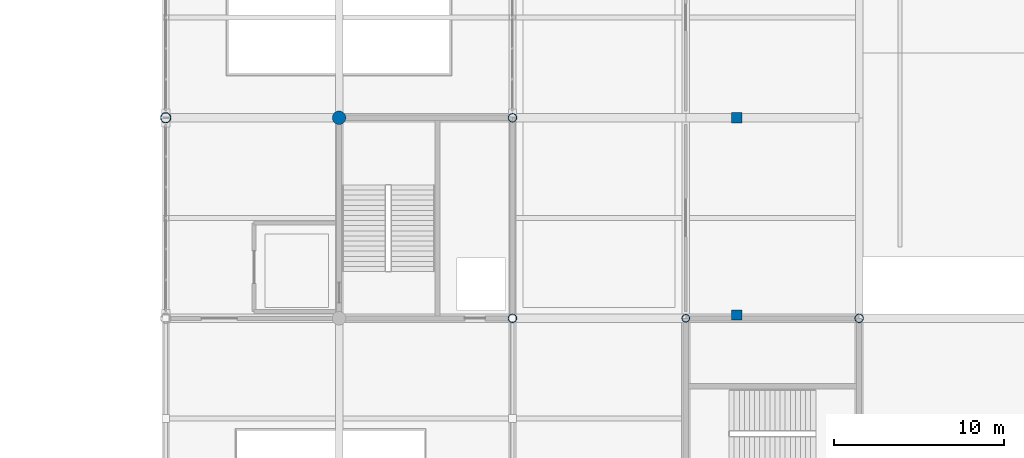
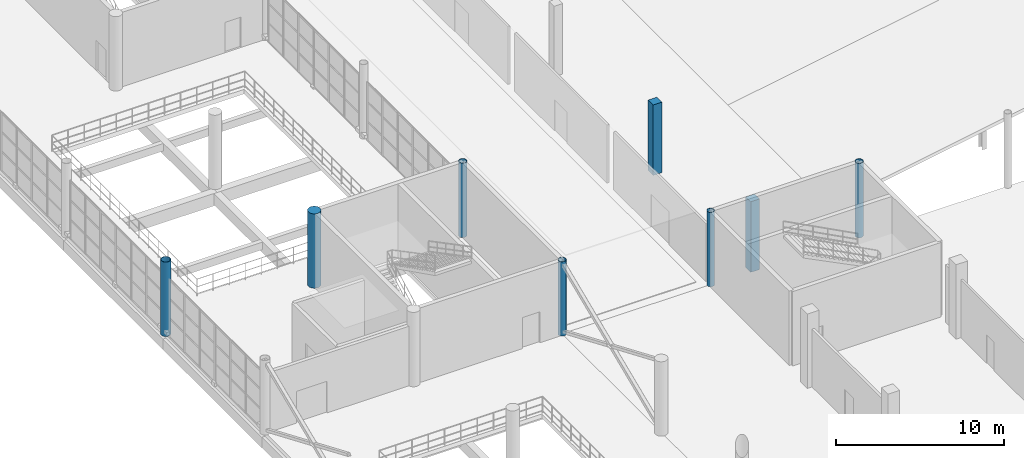
# One storey, part 11 of 175: 8 columns.
"""IFC4 building model written with IfcOpenShell, lengths in metres."""

from ifc_helpers import new_model, si_unit, direction, frame, origin, origin_2d, place, context, subcontext, project, spatial, rectangle, circle, hollow_circle, extrude, material, material_profile, profile_set, type_object, element, save


model = new_model("IFC4")

# Units and contexts
model_context = context("Model", 3, precision=1e-05, world=origin(), true_north=direction((0.0, 1.0)))
body_context = subcontext(model_context, "Body", "Model", "MODEL_VIEW")
ifc_project = project(units=[si_unit("LENGTHUNIT", "METRE"), si_unit("AREAUNIT", "SQUARE_METRE"), si_unit("VOLUMEUNIT", "CUBIC_METRE"), si_unit("PLANEANGLEUNIT", "RADIAN"), si_unit("MASSUNIT", "GRAM", prefix="KILO")], contexts=[model_context])

# Site, building, storey
site_placement = place(None, origin())
site = spatial("IfcSite", under=ifc_project, at=site_placement, CompositionType="ELEMENT")
building_placement = place(site_placement, origin())
building = spatial("IfcBuilding", under=site, at=building_placement, Name="Brelvane Convention Centre", CompositionType="ELEMENT")
storey_placement = place(building_placement, frame((0.0, 0.0, 5.39990234375)))
storey = spatial("IfcBuildingStorey", under=building, at=storey_placement, Name="L01", CompositionType="ELEMENT", Elevation=5.39990234375)

# Columns
ifc_material_1 = material(Name="Concrete M50", Category="concrete")
ifc_material_profile_1 = material_profile(ifc_material_1, rectangle(XDim=0.60009765625, YDim=0.60009765625, at=origin_2d()), Name="RC 600x600")
ifc_profile_set_1 = profile_set([ifc_material_profile_1], Name="Concrete M50")
column_type_1 = type_object("IfcColumnType", Name="RC Column C-RC4 (RC 600x600)", PredefinedType="COLUMN", material=ifc_profile_set_1)
for number, where, z_axis, x_axis, name in (
    (1, (176.39990234375, 40.800048828125, 0.0), (0.0, 0.0, 1.0), (1.0, 0.0, 0.0), "Plenary Gallery L01 Column 5"),
    (2, (176.39990234375, 52.39990234375, 0.0), (0.0, 0.0, 1.0), (1.0, 0.0, 0.0), "Plenary Gallery L01 Column 6"),
):
    element("IfcColumn", number, at=place(storey_placement, frame(where, z_axis=z_axis, x_axis=x_axis)), inside=storey, type_object=column_type_1, Name=name, PredefinedType="COLUMN", context=body_context, shape_type="SweptSolid", body=[
        extrude(rectangle(XDim=0.60009765625, YDim=0.60009765625, at=origin_2d()), origin(), (0.0, 0.0, 1.0), 5.1201171875),
    ])
ifc_material_2 = material(Name="Concrete M50", Category="concrete")
ifc_material_profile_2 = material_profile(ifc_material_2, circle(Radius=0.39990234375, at=origin_2d()), Name="RC-CIRC D800")
ifc_profile_set_2 = profile_set([ifc_material_profile_2], Name="Concrete M50")
column_type_2 = type_object("IfcColumnType", Name="RC Column C-RC7 (RC-CIRC D800)", PredefinedType="COLUMN", material=ifc_profile_set_2)
column_1_placement = place(storey_placement, frame((153.0, 52.39990234375, 0.0), z_axis=(0.0, 0.0, 1.0), x_axis=(1.0, 0.0, 0.0)))
element("IfcColumn", 3, at=column_1_placement, inside=storey, type_object=column_type_2, Name="Column 16-F (L01)", PredefinedType="COLUMN", context=body_context, shape_type="SweptSolid", body=[
    extrude(circle(Radius=0.39990234375, at=origin_2d()), origin(), (0.0, 0.0, 1.0), 5.400146484375),
])
ifc_material_3 = material(Name="Steel E450 (450 MPa)", Category="steel")
ifc_material_profile_3 = material_profile(ifc_material_3, hollow_circle(Radius=0.304931640625, WallThickness=0.02490234375, at=origin_2d()), Name="CHS 610.0x25.0")
ifc_profile_set_3 = profile_set([ifc_material_profile_3], Name="Steel E450 (450 MPa)")
column_type_3 = type_object("IfcColumnType", Name="Steel Column C-ST1 (CHS 610.0x25.0)", PredefinedType="COLUMN", material=ifc_profile_set_3)
column_2_placement = place(storey_placement, frame((142.800048828125, 52.39990234375, 0.0), z_axis=(0.0, 0.0, 1.0), x_axis=(1.0, 0.0, 0.0)))
element("IfcColumn", 4, at=column_2_placement, inside=storey, type_object=column_type_3, Name="Column 15-F (L01)", PredefinedType="COLUMN", context=body_context, shape_type="SweptSolid", body=[
    extrude(hollow_circle(Radius=0.304931640625, WallThickness=0.02490234375, at=origin_2d()), origin(), (0.0, 0.0, 1.0), 5.400146484375),
])
ifc_material_4 = material(Name="Steel E450 (450 MPa)", Category="steel")
ifc_material_profile_4 = material_profile(ifc_material_4, hollow_circle(Radius=0.25390625, WallThickness=0.02001953125, at=origin_2d()), Name="CHS 508.0x20.0")
ifc_profile_set_4 = profile_set([ifc_material_profile_4], Name="Steel E450 (450 MPa)")
column_type_4 = type_object("IfcColumnType", Name="Steel Column C-ST2 (CHS 508.0x20.0)", PredefinedType="COLUMN", material=ifc_profile_set_4)
for number, where, z_axis, x_axis, name in (
    (5, (163.199951171875, 40.60009765625, 0.0), (0.0, 0.0, 1.0), (1.0, 0.0, 0.0), "Column 17-E (L01)"),
    (6, (163.199951171875, 52.39990234375, 0.0), (0.0, 0.0, 1.0), (1.0, 0.0, 0.0), "Column 17-F (L01)"),
    (7, (183.60009765625, 40.60009765625, 0.0), (0.0, 0.0, 1.0), (1.0, 0.0, 0.0), "Column 19-E (L01)"),
):
    element("IfcColumn", number, at=place(storey_placement, frame(where, z_axis=z_axis, x_axis=x_axis)), inside=storey, type_object=column_type_4, Name=name, PredefinedType="COLUMN", context=body_context, shape_type="SweptSolid", body=[
        extrude(hollow_circle(Radius=0.25390625, WallThickness=0.02001953125, at=origin_2d()), origin(), (0.0, 0.0, 1.0), 5.400146484375),
    ])
ifc_material_5 = material(Name="Steel E450 (450 MPa)", Category="steel")
ifc_material_profile_5 = material_profile(ifc_material_5, hollow_circle(Radius=0.228515625, WallThickness=0.02001953125, at=origin_2d()), Name="CHS 457.0x20.0")
ifc_profile_set_5 = profile_set([ifc_material_profile_5], Name="Steel E450 (450 MPa)")
column_type_5 = type_object("IfcColumnType", Name="Steel Column C-ST3 (CHS 457.0x20.0)", PredefinedType="COLUMN", material=ifc_profile_set_5)
column_3_placement = place(storey_placement, frame((173.39990234375, 40.60009765625, 0.0), z_axis=(0.0, 0.0, 1.0), x_axis=(1.0, 0.0, 0.0)))
element("IfcColumn", 8, at=column_3_placement, inside=storey, type_object=column_type_5, Name="Column 18-E (L01)", PredefinedType="COLUMN", context=body_context, shape_type="SweptSolid", body=[
    extrude(hollow_circle(Radius=0.228515625, WallThickness=0.02001953125, at=origin_2d()), origin(), (0.0, 0.0, 1.0), 5.400146484375),
])

save(model, "model.ifc")
